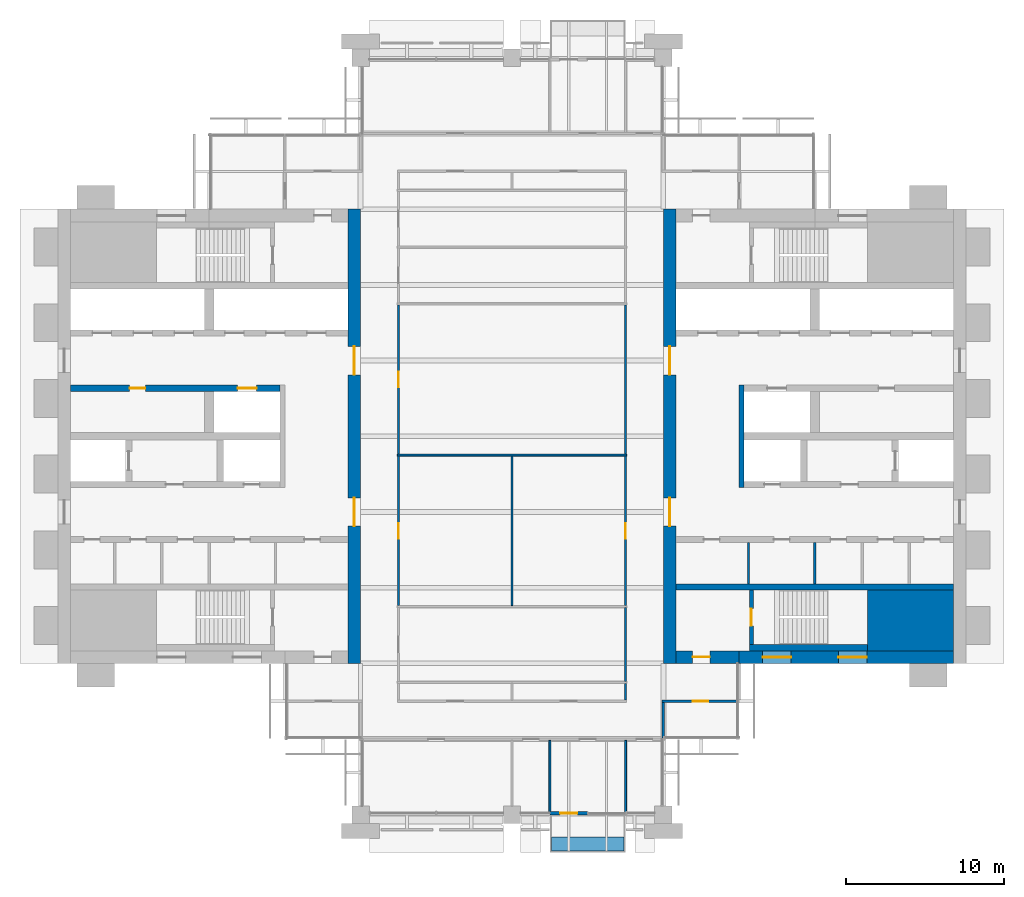
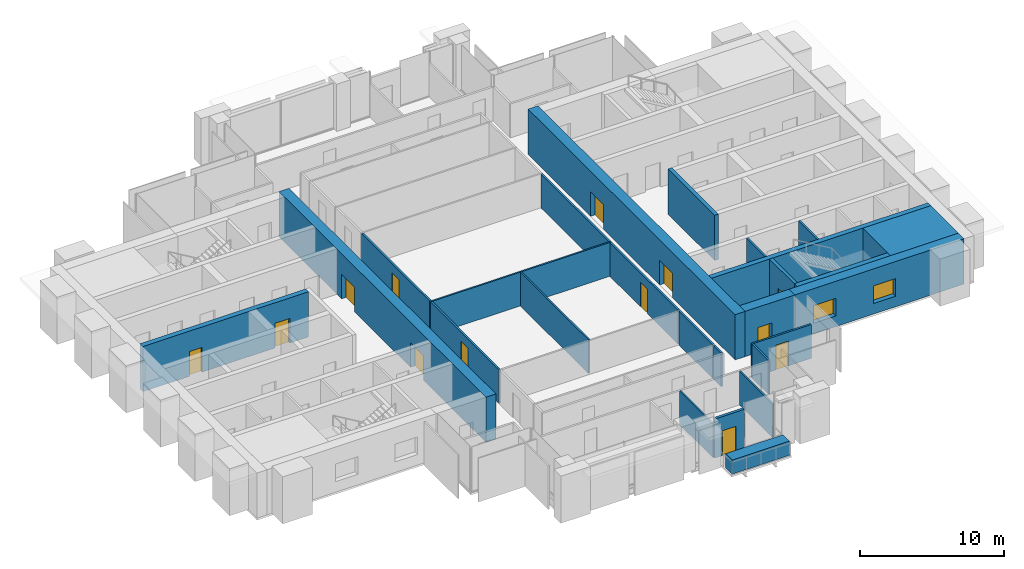
# One storey, part 9 of 14: 26 walls, 13 doors, 2 windows, 15 openings.
"""IFC4 building model written with IfcOpenShell, lengths in metres."""

from ifc_helpers import new_model, si_unit, direction, frame, frame_2d, origin, place, context, subcontext, project, spatial, rectangle, extrude, material, layer, layer_set, type_object, element, fill, save


model = new_model("IFC4")

# Units and contexts
model_context = context("Model", 3, precision=1e-05, world=origin(), true_north=direction((0.0, 1.0)))
body_context = subcontext(model_context, "Body", "Model", "MODEL_VIEW")
ifc_project = project(units=[si_unit("LENGTHUNIT", "METRE"), si_unit("AREAUNIT", "SQUARE_METRE"), si_unit("VOLUMEUNIT", "CUBIC_METRE"), si_unit("PLANEANGLEUNIT", "RADIAN"), si_unit("MASSUNIT", "GRAM", prefix="KILO")], contexts=[model_context])

# Site, building, storey
site_placement = place(None, origin())
site = spatial("IfcSite", under=ifc_project, at=site_placement, CompositionType="ELEMENT")
building_placement = place(site_placement, origin())
building = spatial("IfcBuilding", under=site, at=building_placement, Name="Baori Bourse Tower", CompositionType="ELEMENT")
storey_placement = place(building_placement, frame((0.0, 0.0, 245.199951171875)))
storey = spatial("IfcBuildingStorey", under=building, at=storey_placement, Name="L54", CompositionType="ELEMENT", Elevation=245.199951171875)

# Walls
ifc_material_1 = material(Name="Concrete f'c 50 MPa", Category="concrete")
wall_type_1 = type_object("IfcWallType", Name="Core corner block f'c 50", PredefinedType="SHEAR", material=ifc_material_1)
wall_1_placement = place(storey_placement, frame((51.35009765625, 12.324951171875, 0.0), z_axis=(0.0, 0.0, 1.0), x_axis=(1.0, 0.0, 0.0)))
element("IfcWall", 1, at=wall_1_placement, inside=storey, type_object=wall_type_1, Name="Core wall E05", PredefinedType="SHEAR", context=body_context, shape_type="SweptSolid", body=[
    extrude(rectangle(XDim=5.449951171875, YDim=3.85009765625, at=frame_2d((2.72509765625, 0.0))), origin(), (0.0, 0.0, 1.0), 3.840087890625),
])
ifc_material_2 = material(Name="Blockwork partition", Category="masonry")
ifc_layer_1 = layer(ifc_material_2, 0.14990234375)
ifc_layer_set_1 = layer_set([ifc_layer_1], Name="Core partition 150")
wall_type_2 = type_object("IfcWallType", Name="Core partition 150", PredefinedType="PARTITIONING", material=ifc_layer_set_1)
for number, where, z_axis, x_axis, name in (
    (2, (48.0, 14.64990234375, 0.0), (0.0, 0.0, 1.0), (0.0, 1.0, 0.0), "Partition wall E11"),
    (3, (43.800048828125, 14.64990234375, 0.0), (0.0, 0.0, 1.0), (0.0, 1.0, 0.0), "Partition wall E12"),
):
    element("IfcWall", number, at=place(storey_placement, frame(where, z_axis=z_axis, x_axis=x_axis)), inside=storey, type_object=wall_type_2, Name=name, PredefinedType="PARTITIONING", context=body_context, shape_type="SweptSolid", body=[
        extrude(rectangle(XDim=2.60009765625, YDim=0.14990234375, at=frame_2d((1.300048828125, 0.0))), origin(), (0.0, 0.0, 1.0), 3.840087890625),
    ])

# Wall, openings, doors
ifc_material_3 = material(Name="Concrete f'c 50 MPa", Category="concrete")
ifc_layer_2 = layer(ifc_material_3, 0.800048828125)
ifc_layer_set_2 = layer_set([ifc_layer_2], Name="Core wall 800 f'c 50")
wall_type_3 = type_object("IfcWallType", Name="Core wall 800 f'c 50", PredefinedType="SHEAR", material=ifc_layer_set_2)
wall_2_placement = place(storey_placement, frame((18.800048828125, 38.39990234375, 0.0), z_axis=(0.0, 0.0, 1.0), x_axis=(0.0, -1.0, 0.0)))
wall_2 = element("IfcWall", 4, at=wall_2_placement, inside=storey, type_object=wall_type_3, Name="Core wall W04", PredefinedType="SHEAR", context=body_context, shape_type="SweptSolid", body=[
    extrude(rectangle(XDim=28.7998046875, YDim=0.800048828125, at=frame_2d((14.39990234375, 0.0))), origin(), (0.0, 0.0, 1.0), 3.840087890625),
])
opening_1_placement = place(wall_2_placement, frame((18.300048828125, 0.0, 0.0)))
opening_1 = element("IfcOpeningElement", 5, at=opening_1_placement, cuts=wall_2, Name="Opening L54-D107", PredefinedType="OPENING", context=body_context, shape_type="SweptSolid", body=[
    extrude(rectangle(XDim=1.800048828125, YDim=2.10009765625, at=frame_2d((0.89990234375, 1.050048828125))), frame((0.0, 0.409912109375, 0.0), z_axis=(0.0, -1.0, 0.0), x_axis=(1.0, 0.0, 0.0)), (0.0, 0.0, 1.0), 0.820068359375),
])
opening_2_placement = place(wall_2_placement, frame((8.699951171875, 0.0, 0.0)))
opening_2 = element("IfcOpeningElement", 6, at=opening_2_placement, cuts=wall_2, Name="Opening L54-D108", PredefinedType="OPENING", context=body_context, shape_type="SweptSolid", body=[
    extrude(rectangle(XDim=1.800048828125, YDim=2.10009765625, at=frame_2d((0.89990234375, 1.050048828125))), frame((0.0, 0.409912109375, 0.0), z_axis=(0.0, -1.0, 0.0), x_axis=(1.0, 0.0, 0.0)), (0.0, 0.0, 1.0), 0.820068359375),
])
ifc_material_4 = material(Name="Painted steel door", Category="steel")
door_type_1 = type_object("IfcDoorType", Name="Core lobby door 1800", OperationType="DOUBLE_DOOR_SINGLE_SWING", PredefinedType="DOOR", material=ifc_material_4)
door_1_placement = place(opening_1_placement, origin())
door_1 = element("IfcDoor", 7, at=door_1_placement, inside=storey, type_object=door_type_1, Name="Lobby door W L54", OperationType="DOUBLE_DOOR_SINGLE_SWING", OverallHeight=2.10009765625, OverallWidth=1.800048828125, PredefinedType="DOOR", context=body_context, shape_type="SweptSolid", body=[
    extrude(rectangle(XDim=1.800048828125, YDim=2.10009765625, at=frame_2d((0.89990234375, 1.050048828125))), frame((0.0, 0.02490234375, 0.0), z_axis=(0.0, -1.0, 0.0), x_axis=(1.0, 0.0, 0.0)), (0.0, 0.0, 1.0), 0.050048828125),
])
fill(opening_1, door_1)
door_2_placement = place(opening_2_placement, origin())
door_2 = element("IfcDoor", 8, at=door_2_placement, inside=storey, type_object=door_type_1, Name="Lobby door W L54", OperationType="DOUBLE_DOOR_SINGLE_SWING", OverallHeight=2.10009765625, OverallWidth=1.800048828125, PredefinedType="DOOR", context=body_context, shape_type="SweptSolid", body=[
    extrude(rectangle(XDim=1.800048828125, YDim=2.10009765625, at=frame_2d((0.89990234375, 1.050048828125))), frame((0.0, 0.02490234375, 0.0), z_axis=(0.0, -1.0, 0.0), x_axis=(1.0, 0.0, 0.0)), (0.0, 0.0, 1.0), 0.050048828125),
])
fill(opening_2, door_2)

# Wall, openings, windows
wall_3_placement = place(storey_placement, frame((56.800048828125, 10.0, 0.0), z_axis=(0.0, 0.0, 1.0), x_axis=(-1.0, 0.0, 0.0)))
wall_3 = element("IfcWall", 9, at=wall_3_placement, inside=storey, type_object=wall_type_3, Name="Core wall E02", PredefinedType="SHEAR", context=body_context, shape_type="SweptSolid", body=[
    extrude(rectangle(XDim=13.60009765625, YDim=0.800048828125, at=frame_2d((6.800048828125, 0.0))), origin(), (0.0, 0.0, 1.0), 3.840087890625),
])
opening_3_placement = place(wall_3_placement, frame((5.5, 0.0, 0.89990234375)))
opening_3 = element("IfcOpeningElement", 10, at=opening_3_placement, cuts=wall_3, Name="Opening L54-KW203", PredefinedType="OPENING", context=body_context, shape_type="SweptSolid", body=[
    extrude(rectangle(XDim=1.800048828125, YDim=1.5, at=frame_2d((0.89990234375, 0.75))), frame((0.0, 0.409912109375, 0.0), z_axis=(0.0, -1.0, 0.0), x_axis=(1.0, 0.0, 0.0)), (0.0, 0.0, 1.0), 0.820068359375),
])
opening_4_placement = place(wall_3_placement, frame((10.300048828125, 0.0, 0.89990234375)))
opening_4 = element("IfcOpeningElement", 11, at=opening_4_placement, cuts=wall_3, Name="Opening L54-KW204", PredefinedType="OPENING", context=body_context, shape_type="SweptSolid", body=[
    extrude(rectangle(XDim=1.800048828125, YDim=1.5, at=frame_2d((0.89990234375, 0.75))), frame((0.0, 0.409912109375, 0.0), z_axis=(0.0, -1.0, 0.0), x_axis=(1.0, 0.0, 0.0)), (0.0, 0.0, 1.0), 0.820068359375),
])
ifc_material_5 = material(Name="Pale anodised aluminium", Category="aluminium")
window_type = type_object("IfcWindowType", Name="Stair window 1800 x 1500", PartitioningType="SINGLE_PANEL", PredefinedType="WINDOW", material=ifc_material_5)
window_1_placement = place(opening_3_placement, origin())
window_1 = element("IfcWindow", 12, at=window_1_placement, inside=storey, type_object=window_type, Name="Stair window E L54 3", OverallHeight=1.5, OverallWidth=1.800048828125, PartitioningType="SINGLE_PANEL", PredefinedType="WINDOW", context=body_context, shape_type="SweptSolid", body=[
    extrude(rectangle(XDim=1.800048828125, YDim=1.5, at=frame_2d((0.89990234375, 0.75))), frame((0.0, 0.030029296875, 0.0), z_axis=(0.0, -1.0, 0.0), x_axis=(1.0, 0.0, 0.0)), (0.0, 0.0, 1.0), 0.06005859375),
])
fill(opening_3, window_1)
window_2_placement = place(opening_4_placement, origin())
window_2 = element("IfcWindow", 13, at=window_2_placement, inside=storey, type_object=window_type, Name="Stair window E L54 4", OverallHeight=1.5, OverallWidth=1.800048828125, PartitioningType="SINGLE_PANEL", PredefinedType="WINDOW", context=body_context, shape_type="SweptSolid", body=[
    extrude(rectangle(XDim=1.800048828125, YDim=1.5, at=frame_2d((0.89990234375, 0.75))), frame((0.0, 0.030029296875, 0.0), z_axis=(0.0, -1.0, 0.0), x_axis=(1.0, 0.0, 0.0)), (0.0, 0.0, 1.0), 0.06005859375),
])
fill(opening_4, window_2)

# Wall, opening, door
wall_4_placement = place(storey_placement, frame((43.199951171875, 10.0, 0.0), z_axis=(0.0, 0.0, 1.0), x_axis=(-1.0, 0.0, 0.0)))
wall_4 = element("IfcWall", 14, at=wall_4_placement, inside=storey, type_object=wall_type_3, Name="Core wall E03", PredefinedType="SHEAR", context=body_context, shape_type="SweptSolid", body=[
    extrude(rectangle(XDim=4.0, YDim=0.800048828125, at=frame_2d((2.0, 0.0))), origin(), (0.0, 0.0, 1.0), 3.840087890625),
])
opening_5_placement = place(wall_4_placement, frame((1.85009765625, 0.0, 0.0)))
opening_5 = element("IfcOpeningElement", 15, at=opening_5_placement, cuts=wall_4, Name="Opening L54-D202", PredefinedType="OPENING", context=body_context, shape_type="SweptSolid", body=[
    extrude(rectangle(XDim=1.10009765625, YDim=2.10009765625, at=frame_2d((0.550048828125, 1.050048828125))), frame((0.0, 0.409912109375, 0.0), z_axis=(0.0, -1.0, 0.0), x_axis=(1.0, 0.0, 0.0)), (0.0, 0.0, 1.0), 0.820068359375),
])
ifc_material_6 = material(Name="Painted steel door", Category="steel")
door_type_2 = type_object("IfcDoorType", Name="Stair door 1100", OperationType="SINGLE_SWING_LEFT", PredefinedType="DOOR", material=ifc_material_6)
door_3_placement = place(opening_5_placement, origin())
door_3 = element("IfcDoor", 16, at=door_3_placement, inside=storey, type_object=door_type_2, Name="Stair vestibule door A E L54", OperationType="SINGLE_SWING_LEFT", OverallHeight=2.10009765625, OverallWidth=1.10009765625, PredefinedType="DOOR", context=body_context, shape_type="SweptSolid", body=[
    extrude(rectangle(XDim=1.10009765625, YDim=2.10009765625, at=frame_2d((0.550048828125, 1.050048828125))), frame((0.0, 0.02490234375, 0.0), z_axis=(0.0, -1.0, 0.0), x_axis=(1.0, 0.0, 0.0)), (0.0, 0.0, 1.0), 0.050048828125),
])
fill(opening_5, door_3)

# Wall, openings, doors
wall_5_placement = place(storey_placement, frame((38.800048828125, 9.60009765625, 0.0), z_axis=(0.0, 0.0, 1.0), x_axis=(0.0, 1.0, 0.0)))
wall_5 = element("IfcWall", 17, at=wall_5_placement, inside=storey, type_object=wall_type_3, Name="Core wall E04", PredefinedType="SHEAR", context=body_context, shape_type="SweptSolid", body=[
    extrude(rectangle(XDim=28.7998046875, YDim=0.800048828125, at=frame_2d((14.39990234375, 0.0))), origin(), (0.0, 0.0, 1.0), 3.840087890625),
])
opening_6_placement = place(wall_5_placement, frame((8.699951171875, 0.0, 0.0)))
opening_6 = element("IfcOpeningElement", 18, at=opening_6_placement, cuts=wall_5, Name="Opening L54-D207", PredefinedType="OPENING", context=body_context, shape_type="SweptSolid", body=[
    extrude(rectangle(XDim=1.800048828125, YDim=2.10009765625, at=frame_2d((0.89990234375, 1.050048828125))), frame((0.0, 0.409912109375, 0.0), z_axis=(0.0, -1.0, 0.0), x_axis=(1.0, 0.0, 0.0)), (0.0, 0.0, 1.0), 0.820068359375),
])
opening_7_placement = place(wall_5_placement, frame((18.300048828125, 0.0, 0.0)))
opening_7 = element("IfcOpeningElement", 19, at=opening_7_placement, cuts=wall_5, Name="Opening L54-D208", PredefinedType="OPENING", context=body_context, shape_type="SweptSolid", body=[
    extrude(rectangle(XDim=1.800048828125, YDim=2.10009765625, at=frame_2d((0.89990234375, 1.050048828125))), frame((0.0, 0.409912109375, 0.0), z_axis=(0.0, -1.0, 0.0), x_axis=(1.0, 0.0, 0.0)), (0.0, 0.0, 1.0), 0.820068359375),
])
door_4_placement = place(opening_6_placement, origin())
door_4 = element("IfcDoor", 20, at=door_4_placement, inside=storey, type_object=door_type_1, Name="Lobby door E L54", OperationType="DOUBLE_DOOR_SINGLE_SWING", OverallHeight=2.10009765625, OverallWidth=1.800048828125, PredefinedType="DOOR", context=body_context, shape_type="SweptSolid", body=[
    extrude(rectangle(XDim=1.800048828125, YDim=2.10009765625, at=frame_2d((0.89990234375, 1.050048828125))), frame((0.0, 0.02490234375, 0.0), z_axis=(0.0, -1.0, 0.0), x_axis=(1.0, 0.0, 0.0)), (0.0, 0.0, 1.0), 0.050048828125),
])
fill(opening_6, door_4)
door_5_placement = place(opening_7_placement, origin())
door_5 = element("IfcDoor", 21, at=door_5_placement, inside=storey, type_object=door_type_1, Name="Lobby door E L54", OperationType="DOUBLE_DOOR_SINGLE_SWING", OverallHeight=2.10009765625, OverallWidth=1.800048828125, PredefinedType="DOOR", context=body_context, shape_type="SweptSolid", body=[
    extrude(rectangle(XDim=1.800048828125, YDim=2.10009765625, at=frame_2d((0.89990234375, 1.050048828125))), frame((0.0, 0.02490234375, 0.0), z_axis=(0.0, -1.0, 0.0), x_axis=(1.0, 0.0, 0.0)), (0.0, 0.0, 1.0), 0.050048828125),
])
fill(opening_7, door_5)

# Wall, opening, door
ifc_material_7 = material(Name="Gypsum board partition")
ifc_layer_3 = layer(ifc_material_7, 0.14990234375)
ifc_layer_set_3 = layer_set([ifc_layer_3], Name="Corridor partition 150")
wall_type_4 = type_object("IfcWallType", Name="Corridor partition 150", PredefinedType="PARTITIONING", material=ifc_layer_set_3)
wall_6_placement = place(storey_placement, frame((38.324951171875, 7.199951171875, 0.0), z_axis=(0.0, 0.0, 1.0), x_axis=(1.0, 0.0, 0.0)))
wall_6 = element("IfcWall", 22, at=wall_6_placement, inside=storey, type_object=wall_type_4, Name="Partition", PredefinedType="PARTITIONING", context=body_context, shape_type="SweptSolid", body=[
    extrude(rectangle(XDim=4.775146484375, YDim=0.14990234375, at=frame_2d((2.3876953125, 0.0))), origin(), (0.0, 0.0, 1.0), 2.869873046875),
])
opening_8_placement = place(wall_6_placement, frame((1.925048828125, 0.0, 0.0)))
opening_8 = element("IfcOpeningElement", 23, at=opening_8_placement, cuts=wall_6, Name="Opening L54-D08", PredefinedType="OPENING", context=body_context, shape_type="SweptSolid", body=[
    extrude(rectangle(XDim=1.0, YDim=2.10009765625, at=frame_2d((0.5, 1.050048828125))), frame((0.0, 0.0849609375, 0.0), z_axis=(0.0, -1.0, 0.0), x_axis=(1.0, 0.0, 0.0)), (0.0, 0.0, 1.0), 0.169921875),
])
ifc_material_8 = material(Name="Timber door leaf", Category="wood")
door_type_3 = type_object("IfcDoorType", Name="Door 1000 x 2100", OperationType="SINGLE_SWING_LEFT", PredefinedType="DOOR", material=ifc_material_8)
door_6_placement = place(opening_8_placement, origin())
door_6 = element("IfcDoor", 24, at=door_6_placement, inside=storey, type_object=door_type_3, Name="Door", OperationType="SINGLE_SWING_RIGHT", OverallHeight=2.10009765625, OverallWidth=1.0, PredefinedType="DOOR", context=body_context, shape_type="SweptSolid", body=[
    extrude(rectangle(XDim=1.0, YDim=2.10009765625, at=frame_2d((0.5, 1.050048828125))), frame((0.0, 0.02490234375, 0.0), z_axis=(0.0, -1.0, 0.0), x_axis=(1.0, 0.0, 0.0)), (0.0, 0.0, 1.0), 0.050048828125),
])
fill(opening_8, door_6)

wall_7_placement = place(storey_placement, frame((21.60009765625, 13.262451171875, 0.0), z_axis=(0.0, 0.0, 1.0), x_axis=(0.0, 1.0, 0.0)))
wall_7 = element("IfcWall", 25, at=wall_7_placement, inside=storey, type_object=wall_type_4, Name="Partition", PredefinedType="PARTITIONING", context=body_context, shape_type="SweptSolid", body=[
    extrude(rectangle(XDim=9.47509765625, YDim=0.14990234375, at=frame_2d((4.737548828125, 0.0))), origin(), (0.0, 0.0, 1.0), 2.869873046875),
])
opening_9_placement = place(wall_7_placement, frame((4.237548828125, 0.0, 0.0)))
opening_9 = element("IfcOpeningElement", 26, at=opening_9_placement, cuts=wall_7, Name="Opening L54-D18", PredefinedType="OPENING", context=body_context, shape_type="SweptSolid", body=[
    extrude(rectangle(XDim=1.0, YDim=2.10009765625, at=frame_2d((0.5, 1.050048828125))), frame((0.0, 0.0849609375, 0.0), z_axis=(0.0, -1.0, 0.0), x_axis=(1.0, 0.0, 0.0)), (0.0, 0.0, 1.0), 0.169921875),
])
door_7_placement = place(opening_9_placement, origin())
door_7 = element("IfcDoor", 27, at=door_7_placement, inside=storey, type_object=door_type_3, Name="Door", OperationType="SINGLE_SWING_LEFT", OverallHeight=2.10009765625, OverallWidth=1.0, PredefinedType="DOOR", context=body_context, shape_type="SweptSolid", body=[
    extrude(rectangle(XDim=1.0, YDim=2.10009765625, at=frame_2d((0.5, 1.050048828125))), frame((0.0, 0.02490234375, 0.0), z_axis=(0.0, -1.0, 0.0), x_axis=(1.0, 0.0, 0.0)), (0.0, 0.0, 1.0), 0.050048828125),
])
fill(opening_9, door_7)

wall_8_placement = place(storey_placement, frame((21.60009765625, 22.862548828125, 0.0), z_axis=(0.0, 0.0, 1.0), x_axis=(0.0, 1.0, 0.0)))
wall_8 = element("IfcWall", 28, at=wall_8_placement, inside=storey, type_object=wall_type_4, Name="Partition", PredefinedType="PARTITIONING", context=body_context, shape_type="SweptSolid", body=[
    extrude(rectangle(XDim=9.474853515625, YDim=0.14990234375, at=frame_2d((4.7373046875, 0.0))), origin(), (0.0, 0.0, 1.0), 2.869873046875),
])
opening_10_placement = place(wall_8_placement, frame((4.237548828125, 0.0, 0.0)))
opening_10 = element("IfcOpeningElement", 29, at=opening_10_placement, cuts=wall_8, Name="Opening L54-D19", PredefinedType="OPENING", context=body_context, shape_type="SweptSolid", body=[
    extrude(rectangle(XDim=1.0, YDim=2.10009765625, at=frame_2d((0.5, 1.050048828125))), frame((0.0, 0.0849609375, 0.0), z_axis=(0.0, -1.0, 0.0), x_axis=(1.0, 0.0, 0.0)), (0.0, 0.0, 1.0), 0.169921875),
])
door_8_placement = place(opening_10_placement, origin())
door_8 = element("IfcDoor", 30, at=door_8_placement, inside=storey, type_object=door_type_3, Name="Door", OperationType="SINGLE_SWING_RIGHT", OverallHeight=2.10009765625, OverallWidth=1.0, PredefinedType="DOOR", context=body_context, shape_type="SweptSolid", body=[
    extrude(rectangle(XDim=1.0, YDim=2.10009765625, at=frame_2d((0.5, 1.050048828125))), frame((0.0, 0.02490234375, 0.0), z_axis=(0.0, -1.0, 0.0), x_axis=(1.0, 0.0, 0.0)), (0.0, 0.0, 1.0), 0.050048828125),
])
fill(opening_10, door_8)

# Walls
wall_9_placement = place(storey_placement, frame((36.0, 7.27490234375, 0.0), z_axis=(0.0, 0.0, 1.0), x_axis=(0.0, 1.0, 0.0)))
element("IfcWall", 31, at=wall_9_placement, inside=storey, type_object=wall_type_4, Name="Partition", PredefinedType="PARTITIONING", context=body_context, shape_type="SweptSolid", body=[
    extrude(rectangle(XDim=1.0625, YDim=0.14990234375, at=frame_2d((0.53125, 0.0))), origin(), (0.0, 0.0, 1.0), 2.869873046875),
])
wall_10_placement = place(storey_placement, frame((36.0, 8.46240234375, 0.0), z_axis=(0.0, 0.0, 1.0), x_axis=(0.0, 1.0, 0.0)))
element("IfcWall", 32, at=wall_10_placement, inside=storey, type_object=wall_type_4, Name="Partition", PredefinedType="PARTITIONING", context=body_context, shape_type="SweptSolid", body=[
    extrude(rectangle(XDim=4.675048828125, YDim=0.14990234375, at=frame_2d((2.33740234375, 0.0))), origin(), (0.0, 0.0, 1.0), 2.869873046875),
])

# Wall, opening, door
wall_11_placement = place(storey_placement, frame((36.0, 13.262451171875, 0.0), z_axis=(0.0, 0.0, 1.0), x_axis=(0.0, 1.0, 0.0)))
wall_11 = element("IfcWall", 33, at=wall_11_placement, inside=storey, type_object=wall_type_4, Name="Partition", PredefinedType="PARTITIONING", context=body_context, shape_type="SweptSolid", body=[
    extrude(rectangle(XDim=9.47509765625, YDim=0.14990234375, at=frame_2d((4.737548828125, 0.0))), origin(), (0.0, 0.0, 1.0), 2.869873046875),
])
opening_11_placement = place(wall_11_placement, frame((4.237548828125, 0.0, 0.0)))
opening_11 = element("IfcOpeningElement", 34, at=opening_11_placement, cuts=wall_11, Name="Opening L54-D22", PredefinedType="OPENING", context=body_context, shape_type="SweptSolid", body=[
    extrude(rectangle(XDim=1.0, YDim=2.10009765625, at=frame_2d((0.5, 1.050048828125))), frame((0.0, 0.0849609375, 0.0), z_axis=(0.0, -1.0, 0.0), x_axis=(1.0, 0.0, 0.0)), (0.0, 0.0, 1.0), 0.169921875),
])
door_9_placement = place(opening_11_placement, origin())
door_9 = element("IfcDoor", 35, at=door_9_placement, inside=storey, type_object=door_type_3, Name="Door", OperationType="SINGLE_SWING_RIGHT", OverallHeight=2.10009765625, OverallWidth=1.0, PredefinedType="DOOR", context=body_context, shape_type="SweptSolid", body=[
    extrude(rectangle(XDim=1.0, YDim=2.10009765625, at=frame_2d((0.5, 1.050048828125))), frame((0.0, 0.02490234375, 0.0), z_axis=(0.0, -1.0, 0.0), x_axis=(1.0, 0.0, 0.0)), (0.0, 0.0, 1.0), 0.050048828125),
])
fill(opening_11, door_9)

# Walls
wall_12_placement = place(storey_placement, frame((36.0, 22.862548828125, 0.0), z_axis=(0.0, 0.0, 1.0), x_axis=(0.0, 1.0, 0.0)))
element("IfcWall", 36, at=wall_12_placement, inside=storey, type_object=wall_type_4, Name="Partition", PredefinedType="PARTITIONING", context=body_context, shape_type="SweptSolid", body=[
    extrude(rectangle(XDim=9.474853515625, YDim=0.14990234375, at=frame_2d((4.7373046875, 0.0))), origin(), (0.0, 0.0, 1.0), 2.869873046875),
])
wall_13_placement = place(storey_placement, frame((38.39990234375, 4.875, 0.0), z_axis=(0.0, 0.0, 1.0), x_axis=(0.0, 1.0, 0.0)))
element("IfcWall", 37, at=wall_13_placement, inside=storey, type_object=wall_type_4, Name="Partition", PredefinedType="PARTITIONING", context=body_context, shape_type="SweptSolid", body=[
    extrude(rectangle(XDim=2.25, YDim=0.14990234375, at=frame_2d((1.125, 0.0))), origin(), (0.0, 0.0, 1.0), 2.869873046875),
])

# Wall, opening, door
ifc_material_9 = material(Name="Pale anodised aluminium", Category="aluminium")
ifc_layer_4 = layer(ifc_material_9, 0.199951171875)
ifc_layer_set_4 = layer_set([ifc_layer_4], Name="EW1 External wall bay")
wall_type_5 = type_object("IfcWallType", Name="EW1 External wall bay", PredefinedType="SOLIDWALL", material=ifc_layer_set_4)
wall_14_placement = place(storey_placement, frame((31.199951171875, 0.10009765625, 0.0), z_axis=(0.0, 0.0, 1.0), x_axis=(1.0, 0.0, 0.0)))
wall_14 = element("IfcWall", 38, at=wall_14_placement, inside=storey, type_object=wall_type_5, Name="External wall bay L54 2", PredefinedType="SOLIDWALL", context=body_context, shape_type="SweptSolid", body=[
    extrude(rectangle(XDim=2.400146484375, YDim=0.199951171875, at=frame_2d((1.2001953125, 0.0))), origin(), (0.0, 0.0, 1.0), 3.314208984375),
])
opening_12_placement = place(wall_14_placement, frame((0.64990234375, 0.0, 0.0)))
opening_12 = element("IfcOpeningElement", 39, at=opening_12_placement, cuts=wall_14, Name="Opening L54-D92", PredefinedType="OPENING", context=body_context, shape_type="SweptSolid", body=[
    extrude(rectangle(XDim=1.10009765625, YDim=2.10009765625, at=frame_2d((0.550048828125, 1.050048828125))), frame((0.0, 0.10986328125, 0.0), z_axis=(0.0, -1.0, 0.0), x_axis=(1.0, 0.0, 0.0)), (0.0, 0.0, 1.0), 0.219970703125),
])
ifc_material_10 = material(Name="Pale anodised aluminium", Category="aluminium")
door_type_4 = type_object("IfcDoorType", Name="BL1 Balcony door", OperationType="SINGLE_SWING_LEFT", PredefinedType="DOOR", material=ifc_material_10)
door_10_placement = place(opening_12_placement, origin())
door_10 = element("IfcDoor", 40, at=door_10_placement, inside=storey, type_object=door_type_4, Name="Balcony door L54 2", OperationType="SINGLE_SWING_LEFT", OverallHeight=2.10009765625, OverallWidth=1.10009765625, PredefinedType="DOOR", context=body_context, shape_type="SweptSolid", body=[
    extrude(rectangle(XDim=1.10009765625, YDim=2.10009765625, at=frame_2d((0.550048828125, 1.050048828125))), frame((0.0, 0.02490234375, 0.0), z_axis=(0.0, -1.0, 0.0), x_axis=(1.0, 0.0, 0.0)), (0.0, 0.0, 1.0), 0.050048828125),
])
fill(opening_12, door_10)

# Walls
ifc_material_11 = material(Name="Concrete f'c 40 MPa", Category="concrete")
ifc_layer_5 = layer(ifc_material_11, 0.89990234375)
ifc_layer_set_5 = layer_set([ifc_layer_5], Name="PW1 Planter wall")
wall_type_6 = type_object("IfcWallType", Name="PW1 Planter wall", PredefinedType="USERDEFINED", material=ifc_layer_set_5)
wall_15_placement = place(storey_placement, frame((31.300048828125, -1.85009765625, 0.0), z_axis=(0.0, 0.0, 1.0), x_axis=(1.0, 0.0, 0.0)))
element("IfcWall", 41, at=wall_15_placement, inside=storey, type_object=wall_type_6, Name="Planter balcony S L54 1", ObjectType="PLANTER", PredefinedType="USERDEFINED", context=body_context, shape_type="SweptSolid", body=[
    extrude(rectangle(XDim=4.599853515625, YDim=0.89990234375, at=frame_2d((2.2998046875, 0.0))), origin(), (0.0, 0.0, 1.0), 1.199951171875),
])
ifc_material_12 = material(Name="Gypsum board partition")
ifc_layer_6 = layer(ifc_material_12, 0.125)
ifc_layer_set_6 = layer_set([ifc_layer_6], Name="Partition 125")
wall_type_7 = type_object("IfcWallType", Name="Partition 125", PredefinedType="PARTITIONING", material=ifc_layer_set_6)
wall_16_placement = place(storey_placement, frame((21.52490234375, 22.800048828125, 0.0), z_axis=(0.0, 0.0, 1.0), x_axis=(1.0, 0.0, 0.0)))
element("IfcWall", 42, at=wall_16_placement, inside=storey, type_object=wall_type_7, Name="Partition", PredefinedType="PARTITIONING", context=body_context, shape_type="SweptSolid", body=[
    extrude(rectangle(XDim=14.550048828125, YDim=0.125, at=frame_2d((7.27490234375, 0.0))), origin(), (0.0, 0.0, 1.0), 2.869873046875),
])
wall_17_placement = place(storey_placement, frame((28.800048828125, 13.262451171875, 0.0), z_axis=(0.0, 0.0, 1.0), x_axis=(0.0, 1.0, 0.0)))
element("IfcWall", 43, at=wall_17_placement, inside=storey, type_object=wall_type_7, Name="Partition", PredefinedType="PARTITIONING", context=body_context, shape_type="SweptSolid", body=[
    extrude(rectangle(XDim=9.47509765625, YDim=0.125, at=frame_2d((4.737548828125, 0.0))), origin(), (0.0, 0.0, 1.0), 2.869873046875),
])
for number, where, z_axis, x_axis, name in (
    (44, (31.199951171875, 0.10009765625, 0.0), (0.0, 0.0, 1.0), (0.0, 1.0, 0.0), "Partition"),
    (45, (36.0, 0.10009765625, 0.0), (0.0, 0.0, 1.0), (0.0, 1.0, 0.0), "Partition"),
):
    element("IfcWall", number, at=place(storey_placement, frame(where, z_axis=z_axis, x_axis=x_axis)), inside=storey, type_object=wall_type_7, Name=name, PredefinedType="PARTITIONING", context=body_context, shape_type="SweptSolid", body=[
        extrude(rectangle(XDim=4.625, YDim=0.125, at=frame_2d((2.3125, 0.0))), origin(), (0.0, 0.0, 1.0), 2.869873046875),
    ])

# Wall, opening, door
ifc_material_13 = material(Name="Concrete f'c 50 MPa", Category="concrete")
ifc_layer_7 = layer(ifc_material_13, 0.25)
ifc_layer_set_7 = layer_set([ifc_layer_7], Name="Shaft wall 250 f'c 50")
wall_type_8 = type_object("IfcWallType", Name="Shaft wall 250 f'c 50", PredefinedType="SHEAR", material=ifc_layer_set_7)
wall_18_placement = place(storey_placement, frame((43.97509765625, 10.800048828125, 0.0), z_axis=(0.0, 0.0, 1.0), x_axis=(0.0, 1.0, 0.0)))
wall_18 = element("IfcWall", 46, at=wall_18_placement, inside=storey, type_object=wall_type_8, Name="Core wall E07", PredefinedType="SHEAR", context=body_context, shape_type="SweptSolid", body=[
    extrude(rectangle(XDim=3.449951171875, YDim=0.25, at=frame_2d((1.72509765625, 0.0))), origin(), (0.0, 0.0, 1.0), 3.840087890625),
])
opening_13_placement = place(wall_18_placement, frame((1.175048828125, 0.0, 0.0)))
opening_13 = element("IfcOpeningElement", 47, at=opening_13_placement, cuts=wall_18, Name="Opening L54-D201", PredefinedType="OPENING", context=body_context, shape_type="SweptSolid", body=[
    extrude(rectangle(XDim=1.10009765625, YDim=2.10009765625, at=frame_2d((0.550048828125, 1.050048828125))), frame((0.0, 0.135009765625, 0.0), z_axis=(0.0, -1.0, 0.0), x_axis=(1.0, 0.0, 0.0)), (0.0, 0.0, 1.0), 0.27001953125),
])
door_11_placement = place(opening_13_placement, origin())
door_11 = element("IfcDoor", 48, at=door_11_placement, inside=storey, type_object=door_type_2, Name="Stair door A E L54", OperationType="SINGLE_SWING_LEFT", OverallHeight=2.10009765625, OverallWidth=1.10009765625, PredefinedType="DOOR", context=body_context, shape_type="SweptSolid", body=[
    extrude(rectangle(XDim=1.10009765625, YDim=2.10009765625, at=frame_2d((0.550048828125, 1.050048828125))), frame((0.0, 0.02490234375, 0.0), z_axis=(0.0, -1.0, 0.0), x_axis=(1.0, 0.0, 0.0)), (0.0, 0.0, 1.0), 0.050048828125),
])
fill(opening_13, door_11)

# Wall
ifc_material_14 = material(Name="Concrete f'c 50 MPa", Category="concrete")
ifc_layer_8 = layer(ifc_material_14, 0.300048828125)
ifc_layer_set_8 = layer_set([ifc_layer_8], Name="Shaft wall 300 f'c 50")
wall_type_9 = type_object("IfcWallType", Name="Shaft wall 300 f'c 50", PredefinedType="SHEAR", material=ifc_layer_set_8)
wall_19_placement = place(storey_placement, frame((43.35009765625, 20.75, 0.0), z_axis=(0.0, 0.0, 1.0), x_axis=(0.0, 1.0, 0.0)))
element("IfcWall", 49, at=wall_19_placement, inside=storey, type_object=wall_type_9, Name="Core wall E15", PredefinedType="SHEAR", context=body_context, shape_type="SweptSolid", body=[
    extrude(rectangle(XDim=6.5, YDim=0.300048828125, at=frame_2d((3.25, 0.0))), origin(), (0.0, 0.0, 1.0), 3.840087890625),
])

# Wall, openings, doors
ifc_material_15 = material(Name="Concrete f'c 50 MPa", Category="concrete")
ifc_layer_9 = layer(ifc_material_15, 0.39990234375)
ifc_layer_set_9 = layer_set([ifc_layer_9], Name="Shaft wall 400 f'c 50")
wall_type_10 = type_object("IfcWallType", Name="Shaft wall 400 f'c 50", PredefinedType="SHEAR", material=ifc_layer_set_9)
wall_20_placement = place(storey_placement, frame((0.800048828125, 27.050048828125, 0.0), z_axis=(0.0, 0.0, 1.0), x_axis=(1.0, 0.0, 0.0)))
wall_20 = element("IfcWall", 50, at=wall_20_placement, inside=storey, type_object=wall_type_10, Name="Core wall W20", PredefinedType="SHEAR", context=body_context, shape_type="SweptSolid", body=[
    extrude(rectangle(XDim=13.300048828125, YDim=0.39990234375, at=frame_2d((6.64990234375, 0.0))), origin(), (0.0, 0.0, 1.0), 3.840087890625),
])
opening_14_placement = place(wall_20_placement, frame((3.75, 0.0, 0.0)))
opening_14 = element("IfcOpeningElement", 51, at=opening_14_placement, cuts=wall_20, Name="Opening L54-D114", PredefinedType="OPENING", context=body_context, shape_type="SweptSolid", body=[
    extrude(rectangle(XDim=1.0, YDim=2.10009765625, at=frame_2d((0.5, 1.050048828125))), frame((0.0, 0.2099609375, 0.0), z_axis=(0.0, -1.0, 0.0), x_axis=(1.0, 0.0, 0.0)), (0.0, 0.0, 1.0), 0.419921875),
])
opening_15_placement = place(wall_20_placement, frame((10.60009765625, 0.0, 0.0)))
opening_15 = element("IfcOpeningElement", 52, at=opening_15_placement, cuts=wall_20, Name="Opening L54-D121", PredefinedType="OPENING", context=body_context, shape_type="SweptSolid", body=[
    extrude(rectangle(XDim=1.199951171875, YDim=2.10009765625, at=frame_2d((0.60009765625, 1.050048828125))), frame((0.0, 0.2099609375, 0.0), z_axis=(0.0, -1.0, 0.0), x_axis=(1.0, 0.0, 0.0)), (0.0, 0.0, 1.0), 0.419921875),
])
ifc_material_16 = material(Name="Painted steel door", Category="steel")
door_type_5 = type_object("IfcDoorType", Name="Core door 1000", OperationType="SINGLE_SWING_LEFT", PredefinedType="DOOR", material=ifc_material_16)
door_12_placement = place(opening_14_placement, origin())
door_12 = element("IfcDoor", 53, at=door_12_placement, inside=storey, type_object=door_type_5, Name="Copy Room door W L54", OperationType="SINGLE_SWING_LEFT", OverallHeight=2.10009765625, OverallWidth=1.0, PredefinedType="DOOR", context=body_context, shape_type="SweptSolid", body=[
    extrude(rectangle(XDim=1.0, YDim=2.10009765625, at=frame_2d((0.5, 1.050048828125))), frame((0.0, 0.02490234375, 0.0), z_axis=(0.0, -1.0, 0.0), x_axis=(1.0, 0.0, 0.0)), (0.0, 0.0, 1.0), 0.050048828125),
])
fill(opening_14, door_12)
ifc_material_17 = material(Name="Stainless steel door", Category="steel")
door_type_6 = type_object("IfcDoorType", Name="Lift landing door", OperationType="DOUBLE_DOOR_SLIDING", PredefinedType="DOOR", material=ifc_material_17)
door_13_placement = place(opening_15_placement, origin())
door_13 = element("IfcDoor", 54, at=door_13_placement, inside=storey, type_object=door_type_6, Name="Lift landing door SV1 W L54", OperationType="DOUBLE_DOOR_SLIDING", OverallHeight=2.10009765625, OverallWidth=1.199951171875, PredefinedType="DOOR", context=body_context, shape_type="SweptSolid", body=[
    extrude(rectangle(XDim=1.199951171875, YDim=2.10009765625, at=frame_2d((0.60009765625, 1.050048828125))), frame((0.0, 0.02490234375, 0.0), z_axis=(0.0, -1.0, 0.0), x_axis=(1.0, 0.0, 0.0)), (0.0, 0.0, 1.0), 0.050048828125),
])
fill(opening_15, door_13)

# Walls
wall_21_placement = place(storey_placement, frame((43.85009765625, 10.60009765625, 0.0), z_axis=(0.0, 0.0, 1.0), x_axis=(1.0, 0.0, 0.0)))
element("IfcWall", 55, at=wall_21_placement, inside=storey, type_object=wall_type_10, Name="Core wall E06", PredefinedType="SHEAR", context=body_context, shape_type="SweptSolid", body=[
    extrude(rectangle(XDim=7.5, YDim=0.39990234375, at=frame_2d((3.75, 0.0))), origin(), (0.0, 0.0, 1.0), 3.840087890625),
])
wall_22_placement = place(storey_placement, frame((39.199951171875, 14.449951171875, 0.0), z_axis=(0.0, 0.0, 1.0), x_axis=(1.0, 0.0, 0.0)))
element("IfcWall", 56, at=wall_22_placement, inside=storey, type_object=wall_type_10, Name="Core wall E08", PredefinedType="SHEAR", context=body_context, shape_type="SweptSolid", body=[
    extrude(rectangle(XDim=17.60009765625, YDim=0.39990234375, at=frame_2d((8.800048828125, 0.0))), origin(), (0.0, 0.0, 1.0), 3.840087890625),
])

save(model, "model.ifc")
